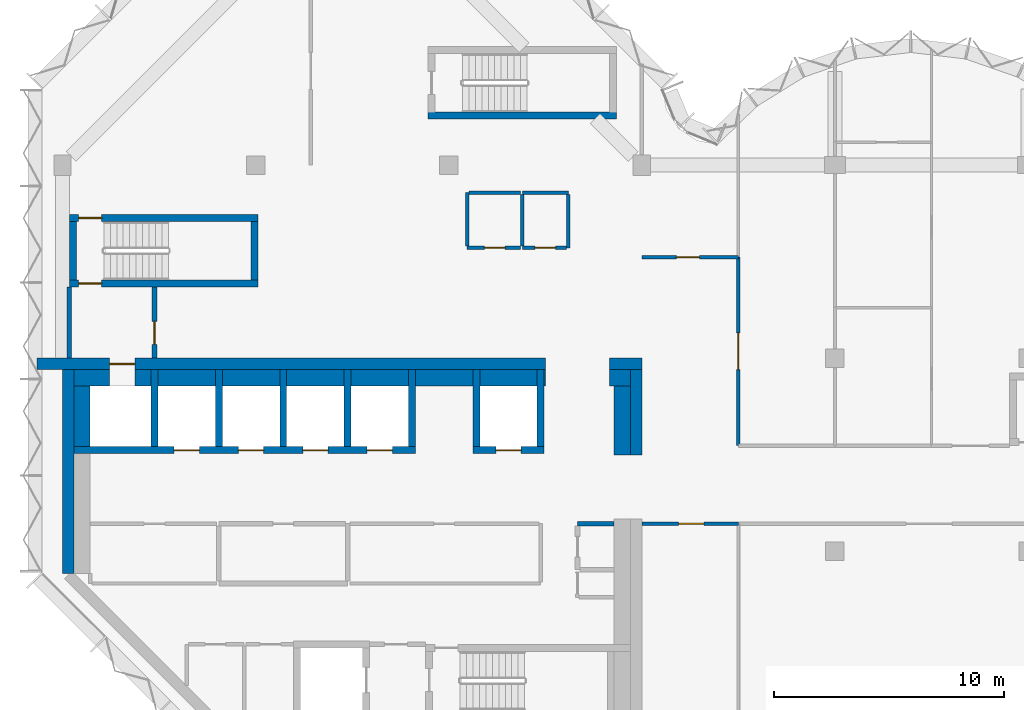
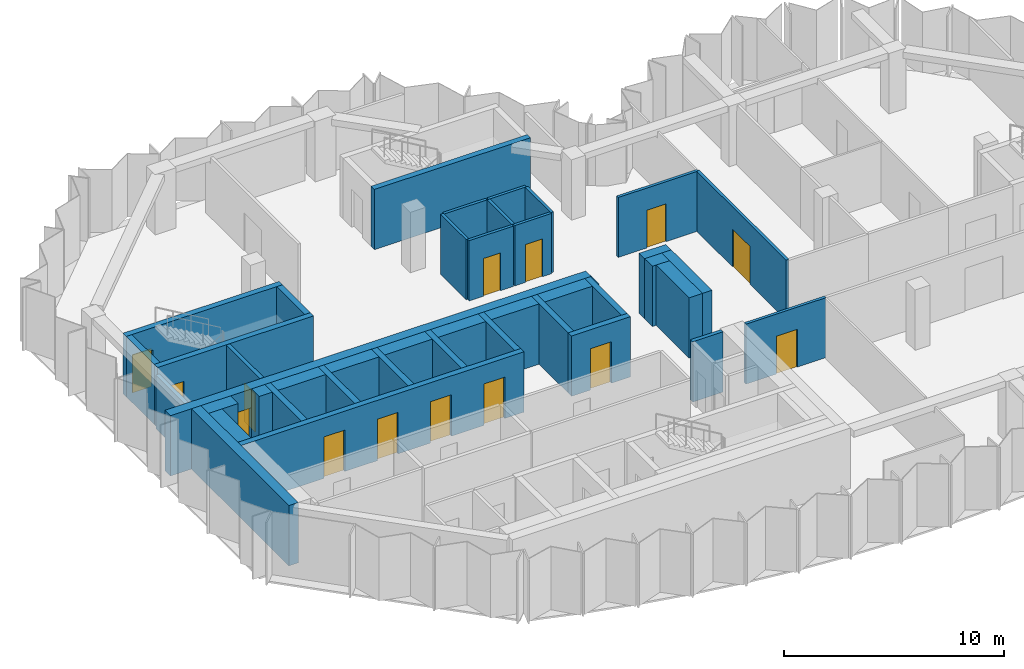
# One storey, part 5 of 9: 43 walls, 14 doors, 14 openings.
"""IFC4 building model written with IfcOpenShell, lengths in metres."""

from ifc_helpers import new_model, si_unit, direction, frame, frame_2d, origin, place, context, subcontext, project, spatial, rectangle, extrude, material, layer, layer_set, type_object, element, fill, save


model = new_model("IFC4")

# Units and contexts
model_context = context("Model", 3, precision=1e-05, world=origin(), true_north=direction((0.0, 1.0)))
body_context = subcontext(model_context, "Body", "Model", "MODEL_VIEW")
ifc_project = project(units=[si_unit("LENGTHUNIT", "METRE"), si_unit("AREAUNIT", "SQUARE_METRE"), si_unit("VOLUMEUNIT", "CUBIC_METRE"), si_unit("PLANEANGLEUNIT", "RADIAN"), si_unit("MASSUNIT", "GRAM", prefix="KILO")], contexts=[model_context])

# Site, building, storey
site_placement = place(None, origin())
site = spatial("IfcSite", under=ifc_project, at=site_placement, CompositionType="ELEMENT")
building_placement = place(site_placement, origin())
building = spatial("IfcBuilding", under=site, at=building_placement, Name="Brevane Broadcast Tower", CompositionType="ELEMENT")
storey_placement = place(building_placement, frame((0.0, 0.0, 244.5)))
storey = spatial("IfcBuildingStorey", under=building, at=storey_placement, Name="L62", CompositionType="ELEMENT", Elevation=244.5)

# Walls
ifc_material_1 = material(Name="Concrete C32/40", Category="concrete")
ifc_layer_1 = layer(ifc_material_1, 0.699951171875)
ifc_layer_set_1 = layer_set([ifc_layer_1], Name="Core chase wall 700 mm")
wall_type_1 = type_object("IfcWallType", Name="Core chase wall 700 mm", PredefinedType="PARTITIONING", material=ifc_layer_set_1)
wall_1_placement = place(storey_placement, frame((24.35009765625, 12.60009765625, 0.0), z_axis=(0.0, 0.0, 1.0), x_axis=(0.0, 1.0, 0.0)))
element("IfcWall", 1, at=wall_1_placement, inside=storey, type_object=wall_type_1, Name="L62 chase wall LE2", PredefinedType="PARTITIONING", context=body_context, shape_type="SweptSolid", body=[
    extrude(rectangle(XDim=3.0, YDim=0.699951171875, at=frame_2d((1.5, 0.0))), origin(), (0.0, 0.0, 1.0), 3.35009765625),
])
wall_2_placement = place(storey_placement, frame((0.5, 15.949951171875, 0.0), z_axis=(0.0, 0.0, 1.0), x_axis=(1.0, 0.0, 0.0)))
element("IfcWall", 2, at=wall_2_placement, inside=storey, type_object=wall_type_1, Name="L62 chase wall LN0", PredefinedType="PARTITIONING", context=body_context, shape_type="SweptSolid", body=[
    extrude(rectangle(XDim=1.550048828125, YDim=0.699951171875, at=frame_2d((0.77490234375, 0.0))), origin(), (0.0, 0.0, 1.0), 3.35009765625),
])
wall_3_placement = place(storey_placement, frame((23.800048828125, 15.949951171875, 0.0), z_axis=(0.0, 0.0, 1.0), x_axis=(1.0, 0.0, 0.0)))
element("IfcWall", 3, at=wall_3_placement, inside=storey, type_object=wall_type_1, Name="L62 chase wall LN2", PredefinedType="PARTITIONING", context=body_context, shape_type="SweptSolid", body=[
    extrude(rectangle(XDim=0.89990234375, YDim=0.699951171875, at=frame_2d((0.449951171875, 0.0))), origin(), (0.0, 0.0, 1.0), 3.35009765625),
])
wall_4_placement = place(storey_placement, frame((0.85009765625, 12.949951171875, 0.0), z_axis=(0.0, 0.0, 1.0), x_axis=(0.0, 1.0, 0.0)))
element("IfcWall", 4, at=wall_4_placement, inside=storey, type_object=wall_type_1, Name="L62 chase wall LW-2", PredefinedType="PARTITIONING", context=body_context, shape_type="SweptSolid", body=[
    extrude(rectangle(XDim=2.650146484375, YDim=0.699951171875, at=frame_2d((1.3251953125, 0.0))), origin(), (0.0, 0.0, 1.0), 3.35009765625),
])
wall_5_placement = place(storey_placement, frame((3.14990234375, 15.949951171875, 0.0), z_axis=(0.0, 0.0, 1.0), x_axis=(1.0, 0.0, 0.0)))
element("IfcWall", 5, at=wall_5_placement, inside=storey, type_object=wall_type_1, Name="L62 chase wall LN1-1", PredefinedType="PARTITIONING", context=body_context, shape_type="SweptSolid", body=[
    extrude(rectangle(XDim=0.7001953125, YDim=0.699951171875, at=frame_2d((0.35009765625, 0.0))), origin(), (0.0, 0.0, 1.0), 3.35009765625),
])
for number, where, z_axis, x_axis, name in (
    (6, (4.14990234375, 15.949951171875, 0.0), (0.0, 0.0, 1.0), (1.0, 0.0, 0.0), "L62 chase wall LN1-2-1"),
    (7, (6.949951171875, 15.949951171875, 0.0), (0.0, 0.0, 1.0), (1.0, 0.0, 0.0), "L62 chase wall LN1-2-2-1"),
    (8, (9.75, 15.949951171875, 0.0), (0.0, 0.0, 1.0), (1.0, 0.0, 0.0), "L62 chase wall LN1-2-2-2-1"),
    (9, (12.550048828125, 15.949951171875, 0.0), (0.0, 0.0, 1.0), (1.0, 0.0, 0.0), "L62 chase wall LN1-2-2-2-2-1"),
    (10, (15.35009765625, 15.949951171875, 0.0), (0.0, 0.0, 1.0), (1.0, 0.0, 0.0), "L62 chase wall LN1-2-2-2-2-2-1"),
    (11, (18.14990234375, 15.949951171875, 0.0), (0.0, 0.0, 1.0), (1.0, 0.0, 0.0), "L62 chase wall LN1-2-2-2-2-2-2-1"),
):
    element("IfcWall", number, at=place(storey_placement, frame(where, z_axis=z_axis, x_axis=x_axis)), inside=storey, type_object=wall_type_1, Name=name, PredefinedType="PARTITIONING", context=body_context, shape_type="SweptSolid", body=[
        extrude(rectangle(XDim=2.5, YDim=0.699951171875, at=frame_2d((1.25, 0.0))), origin(), (0.0, 0.0, 1.0), 3.35009765625),
    ])
wall_6_placement = place(storey_placement, frame((20.949951171875, 15.949951171875, 0.0), z_axis=(0.0, 0.0, 1.0), x_axis=(1.0, 0.0, 0.0)))
element("IfcWall", 12, at=wall_6_placement, inside=storey, type_object=wall_type_1, Name="L62 chase wall LN1-2-2-2-2-2-2-2", PredefinedType="PARTITIONING", context=body_context, shape_type="SweptSolid", body=[
    extrude(rectangle(XDim=0.050048828125, YDim=0.699951171875, at=frame_2d((0.02490234375, 0.0))), origin(), (0.0, 0.0, 1.0), 3.35009765625),
])
ifc_material_2 = material(Name="Gypsum board on steel studs", Category="steel")
ifc_layer_2 = layer(ifc_material_2, 0.14990234375)
ifc_layer_set_2 = layer_set([ifc_layer_2], Name="Core fire partition 150 mm")
wall_type_2 = type_object("IfcWallType", Name="Core fire partition 150 mm", PredefinedType="PARTITIONING", material=ifc_layer_set_2)
wall_7_placement = place(storey_placement, frame((20.0, 24.0, 0.0), z_axis=(0.0, 0.0, 1.0), x_axis=(1.0, 0.0, 0.0)))
element("IfcWall", 13, at=wall_7_placement, inside=storey, type_object=wall_type_2, Name="L62 partition wall P22", PredefinedType="PARTITIONING", context=body_context, shape_type="SweptSolid", body=[
    extrude(rectangle(XDim=2.0, YDim=0.14990234375, at=frame_2d((1.0, 0.0))), origin(), (0.0, 0.0, 1.0), 3.35009765625),
])
wall_8_placement = place(storey_placement, frame((22.0, 23.925048828125, 0.0), z_axis=(0.0, 0.0, 1.0), x_axis=(0.0, -1.0, 0.0)))
element("IfcWall", 14, at=wall_8_placement, inside=storey, type_object=wall_type_2, Name="L62 partition wall P23", PredefinedType="PARTITIONING", context=body_context, shape_type="SweptSolid", body=[
    extrude(rectangle(XDim=2.324951171875, YDim=0.14990234375, at=frame_2d((1.16259765625, 0.0))), origin(), (0.0, 0.0, 1.0), 3.35009765625),
])

# Wall, opening, door
wall_9_placement = place(storey_placement, frame((21.925048828125, 21.60009765625, 0.0), z_axis=(0.0, 0.0, 1.0), x_axis=(-1.0, 0.0, 0.0)))
wall_9 = element("IfcWall", 15, at=wall_9_placement, inside=storey, type_object=wall_type_2, Name="L62 partition wall P24", PredefinedType="PARTITIONING", context=body_context, shape_type="SweptSolid", body=[
    extrude(rectangle(XDim=1.925048828125, YDim=0.14990234375, at=frame_2d((0.96240234375, 0.0))), origin(), (0.0, 0.0, 1.0), 3.35009765625),
])
opening_1_placement = place(wall_9_placement, frame((0.47509765625, 0.0, 0.0)))
opening_1 = element("IfcOpeningElement", 16, at=opening_1_placement, cuts=wall_9, Name="Opening L62-K23", PredefinedType="OPENING", context=body_context, shape_type="SweptSolid", body=[
    extrude(rectangle(XDim=0.89990234375, YDim=2.10009765625, at=frame_2d((0.449951171875, 1.050048828125))), frame((0.0, 0.0849609375, 0.0), z_axis=(0.0, -1.0, 0.0), x_axis=(1.0, 0.0, 0.0)), (0.0, 0.0, 1.0), 0.169921875),
])
ifc_material_3 = material(Name="Timber", Category="wood")
door_type_1 = type_object("IfcDoorType", Name="Toilet door 900 x 2100", OperationType="SINGLE_SWING_LEFT", PredefinedType="DOOR", material=ifc_material_3)
door_1_placement = place(opening_1_placement, origin())
door_1 = element("IfcDoor", 17, at=door_1_placement, inside=storey, type_object=door_type_1, Name="Door L62-K23", OperationType="SINGLE_SWING_LEFT", OverallHeight=2.10009765625, OverallWidth=0.89990234375, PredefinedType="DOOR", context=body_context, shape_type="SweptSolid", body=[
    extrude(rectangle(XDim=0.89990234375, YDim=2.10009765625, at=frame_2d((0.449951171875, 1.050048828125))), frame((0.0, 0.02490234375, 0.0), z_axis=(0.0, -1.0, 0.0), x_axis=(1.0, 0.0, 0.0)), (0.0, 0.0, 1.0), 0.050048828125),
])
fill(opening_1, door_1)

# Wall
wall_10_placement = place(storey_placement, frame((20.0, 21.675048828125, 0.0), z_axis=(0.0, 0.0, 1.0), x_axis=(0.0, 1.0, 0.0)))
element("IfcWall", 18, at=wall_10_placement, inside=storey, type_object=wall_type_2, Name="L62 partition wall P25", PredefinedType="PARTITIONING", context=body_context, shape_type="SweptSolid", body=[
    extrude(rectangle(XDim=2.25, YDim=0.14990234375, at=frame_2d((1.125, 0.0))), origin(), (0.0, 0.0, 1.0), 3.35009765625),
])

# Wall, opening, door
wall_11_placement = place(storey_placement, frame((19.925048828125, 21.60009765625, 0.0), z_axis=(0.0, 0.0, 1.0), x_axis=(-1.0, 0.0, 0.0)))
wall_11 = element("IfcWall", 19, at=wall_11_placement, inside=storey, type_object=wall_type_2, Name="L62 partition wall P26", PredefinedType="PARTITIONING", context=body_context, shape_type="SweptSolid", body=[
    extrude(rectangle(XDim=2.324951171875, YDim=0.14990234375, at=frame_2d((1.16259765625, 0.0))), origin(), (0.0, 0.0, 1.0), 3.35009765625),
])
opening_2_placement = place(wall_11_placement, frame((0.675048828125, 0.0, 0.0)))
opening_2 = element("IfcOpeningElement", 20, at=opening_2_placement, cuts=wall_11, Name="Opening L62-K24", PredefinedType="OPENING", context=body_context, shape_type="SweptSolid", body=[
    extrude(rectangle(XDim=0.89990234375, YDim=2.10009765625, at=frame_2d((0.449951171875, 1.050048828125))), frame((0.0, 0.0849609375, 0.0), z_axis=(0.0, -1.0, 0.0), x_axis=(1.0, 0.0, 0.0)), (0.0, 0.0, 1.0), 0.169921875),
])
ifc_material_4 = material(Name="Steel", Category="steel")
door_type_2 = type_object("IfcDoorType", Name="Service room door 900 x 2100", OperationType="SINGLE_SWING_LEFT", PredefinedType="DOOR", material=ifc_material_4)
door_2_placement = place(opening_2_placement, origin())
door_2 = element("IfcDoor", 21, at=door_2_placement, inside=storey, type_object=door_type_2, Name="Door L62-K24", OperationType="SINGLE_SWING_RIGHT", OverallHeight=2.10009765625, OverallWidth=0.89990234375, PredefinedType="DOOR", context=body_context, shape_type="SweptSolid", body=[
    extrude(rectangle(XDim=0.89990234375, YDim=2.10009765625, at=frame_2d((0.449951171875, 1.050048828125))), frame((0.0, 0.02490234375, 0.0), z_axis=(0.0, -1.0, 0.0), x_axis=(1.0, 0.0, 0.0)), (0.0, 0.0, 1.0), 0.050048828125),
])
fill(opening_2, door_2)

# Walls
wall_12_placement = place(storey_placement, frame((17.60009765625, 21.675048828125, 0.0), z_axis=(0.0, 0.0, 1.0), x_axis=(0.0, 1.0, 0.0)))
element("IfcWall", 22, at=wall_12_placement, inside=storey, type_object=wall_type_2, Name="L62 partition wall P27", PredefinedType="PARTITIONING", context=body_context, shape_type="SweptSolid", body=[
    extrude(rectangle(XDim=2.324951171875, YDim=0.14990234375, at=frame_2d((1.16259765625, 0.0))), origin(), (0.0, 0.0, 1.0), 3.35009765625),
])
wall_13_placement = place(storey_placement, frame((17.675048828125, 24.0, 0.0), z_axis=(0.0, 0.0, 1.0), x_axis=(1.0, 0.0, 0.0)))
element("IfcWall", 23, at=wall_13_placement, inside=storey, type_object=wall_type_2, Name="L62 partition wall P28", PredefinedType="PARTITIONING", context=body_context, shape_type="SweptSolid", body=[
    extrude(rectangle(XDim=2.25, YDim=0.14990234375, at=frame_2d((1.125, 0.0))), origin(), (0.0, 0.0, 1.0), 3.35009765625),
])
ifc_layer_3 = layer(ifc_material_2, 0.199951171875)
ifc_layer_set_3 = layer_set([ifc_layer_3], Name="Core fire partition 200 mm")
wall_type_3 = type_object("IfcWallType", Name="Core fire partition 200 mm", PredefinedType="PARTITIONING", material=ifc_layer_set_3)
wall_14_placement = place(storey_placement, frame((0.300048828125, 16.81201171875, 0.0), z_axis=(0.0, 0.0, 1.0), x_axis=(0.0, 1.0, 0.0)))
element("IfcWall", 24, at=wall_14_placement, inside=storey, type_object=wall_type_3, Name="L62 partition wall P01", PredefinedType="PARTITIONING", context=body_context, shape_type="SweptSolid", body=[
    extrude(rectangle(XDim=3.075927734375, YDim=0.199951171875, at=frame_2d((1.5380859375, 0.0))), origin(), (0.0, 0.0, 1.0), 2.97998046875),
])

# Wall, opening, door
wall_15_placement = place(storey_placement, frame((4.0, 19.887939453125, 0.0), z_axis=(0.0, 0.0, 1.0), x_axis=(0.0, -1.0, 0.0)))
wall_15 = element("IfcWall", 25, at=wall_15_placement, inside=storey, type_object=wall_type_3, Name="L62 partition wall P02", PredefinedType="PARTITIONING", context=body_context, shape_type="SweptSolid", body=[
    extrude(rectangle(XDim=3.075927734375, YDim=0.199951171875, at=frame_2d((1.5380859375, 0.0))), origin(), (0.0, 0.0, 1.0), 3.35009765625),
])
opening_3_placement = place(wall_15_placement, frame((1.488037109375, 0.0, 0.0)))
opening_3 = element("IfcOpeningElement", 26, at=opening_3_placement, cuts=wall_15, Name="Opening L62-K22", PredefinedType="OPENING", context=body_context, shape_type="SweptSolid", body=[
    extrude(rectangle(XDim=1.0, YDim=2.10009765625, at=frame_2d((0.5, 1.050048828125))), frame((0.0, 0.10986328125, 0.0), z_axis=(0.0, -1.0, 0.0), x_axis=(1.0, 0.0, 0.0)), (0.0, 0.0, 1.0), 0.219970703125),
])
door_type_3 = type_object("IfcDoorType", Name="Stair door 1000 x 2100", OperationType="SINGLE_SWING_LEFT", PredefinedType="DOOR", material=ifc_material_4)
door_3_placement = place(opening_3_placement, origin())
door_3 = element("IfcDoor", 27, at=door_3_placement, inside=storey, type_object=door_type_3, Name="Door L62-K22", OperationType="SINGLE_SWING_RIGHT", OverallHeight=2.10009765625, OverallWidth=1.0, PredefinedType="DOOR", context=body_context, shape_type="SweptSolid", body=[
    extrude(rectangle(XDim=1.0, YDim=2.10009765625, at=frame_2d((0.5, 1.050048828125))), frame((0.0, 0.02490234375, 0.0), z_axis=(0.0, -1.0, 0.0), x_axis=(1.0, 0.0, 0.0)), (0.0, 0.0, 1.0), 0.050048828125),
])
fill(opening_3, door_3)

# Wall
wall_16_placement = place(storey_placement, frame((23.988037109375, 9.60009765625, 0.0), z_axis=(0.0, 0.0, 1.0), x_axis=(-1.0, 0.0, 0.0)))
element("IfcWall", 28, at=wall_16_placement, inside=storey, type_object=wall_type_3, Name="L62 partition wall P04", PredefinedType="PARTITIONING", context=body_context, shape_type="SweptSolid", body=[
    extrude(rectangle(XDim=1.588134765625, YDim=0.199951171875, at=frame_2d((0.7939453125, 0.0))), origin(), (0.0, 0.0, 1.0), 3.35009765625),
])

# Wall, openings, doors
ifc_material_5 = material(Name="Concrete C50/60", Category="concrete")
ifc_layer_4 = layer(ifc_material_5, 0.300048828125)
ifc_layer_set_4 = layer_set([ifc_layer_4], Name="Core wall 300 mm C50/60")
wall_type_4 = type_object("IfcWallType", Name="Core wall 300 mm C50/60", PredefinedType="SHEAR", material=ifc_layer_set_4)
wall_17_placement = place(storey_placement, frame((0.5, 12.800048828125, 0.0), z_axis=(0.0, 0.0, 1.0), x_axis=(1.0, 0.0, 0.0)))
wall_17 = element("IfcWall", 29, at=wall_17_placement, inside=storey, type_object=wall_type_4, Name="L62 shaft wall SH-N012-front", PredefinedType="SHEAR", context=body_context, shape_type="SweptSolid", body=[
    extrude(rectangle(XDim=14.85009765625, YDim=0.300048828125, at=frame_2d((7.425048828125, 0.0))), origin(), (0.0, 0.0, 1.0), 3.35009765625),
])
opening_4_placement = place(wall_17_placement, frame((4.35009765625, 0.0, 0.0)))
opening_4 = element("IfcOpeningElement", 30, at=opening_4_placement, cuts=wall_17, Name="Opening LD", PredefinedType="OPENING", context=body_context, shape_type="SweptSolid", body=[
    extrude(rectangle(XDim=1.10009765625, YDim=2.300048828125, at=frame_2d((0.550048828125, 1.14990234375))), frame((0.0, 0.159912109375, 0.0), z_axis=(0.0, -1.0, 0.0), x_axis=(1.0, 0.0, 0.0)), (0.0, 0.0, 1.0), 0.320068359375),
])
opening_5_placement = place(wall_17_placement, frame((7.14990234375, 0.0, 0.0)))
opening_5 = element("IfcOpeningElement", 31, at=opening_5_placement, cuts=wall_17, Name="Opening LD", PredefinedType="OPENING", context=body_context, shape_type="SweptSolid", body=[
    extrude(rectangle(XDim=1.10009765625, YDim=2.300048828125, at=frame_2d((0.550048828125, 1.14990234375))), frame((0.0, 0.159912109375, 0.0), z_axis=(0.0, -1.0, 0.0), x_axis=(1.0, 0.0, 0.0)), (0.0, 0.0, 1.0), 0.320068359375),
])
opening_6_placement = place(wall_17_placement, frame((9.949951171875, 0.0, 0.0)))
opening_6 = element("IfcOpeningElement", 32, at=opening_6_placement, cuts=wall_17, Name="Opening LD", PredefinedType="OPENING", context=body_context, shape_type="SweptSolid", body=[
    extrude(rectangle(XDim=1.10009765625, YDim=2.300048828125, at=frame_2d((0.550048828125, 1.14990234375))), frame((0.0, 0.159912109375, 0.0), z_axis=(0.0, -1.0, 0.0), x_axis=(1.0, 0.0, 0.0)), (0.0, 0.0, 1.0), 0.320068359375),
])
opening_7_placement = place(wall_17_placement, frame((12.75, 0.0, 0.0)))
opening_7 = element("IfcOpeningElement", 33, at=opening_7_placement, cuts=wall_17, Name="Opening LD", PredefinedType="OPENING", context=body_context, shape_type="SweptSolid", body=[
    extrude(rectangle(XDim=1.10009765625, YDim=2.300048828125, at=frame_2d((0.550048828125, 1.14990234375))), frame((0.0, 0.159912109375, 0.0), z_axis=(0.0, -1.0, 0.0), x_axis=(1.0, 0.0, 0.0)), (0.0, 0.0, 1.0), 0.320068359375),
])
ifc_material_6 = material(Name="Stainless steel", Category="steel")
door_type_4 = type_object("IfcDoorType", Name="Lift landing door", OperationType="SLIDING_TO_LEFT", PredefinedType="DOOR", material=ifc_material_6)
door_4_placement = place(opening_4_placement, origin())
door_4 = element("IfcDoor", 34, at=door_4_placement, inside=storey, type_object=door_type_4, Name="Landing door HR1 L62", OperationType="SLIDING_TO_LEFT", OverallHeight=2.300048828125, OverallWidth=1.10009765625, PredefinedType="DOOR", context=body_context, shape_type="SweptSolid", body=[
    extrude(rectangle(XDim=1.10009765625, YDim=2.300048828125, at=frame_2d((0.550048828125, 1.14990234375))), frame((0.0, 0.02490234375, 0.0), z_axis=(0.0, -1.0, 0.0), x_axis=(1.0, 0.0, 0.0)), (0.0, 0.0, 1.0), 0.050048828125),
])
fill(opening_4, door_4)
door_5_placement = place(opening_5_placement, origin())
door_5 = element("IfcDoor", 35, at=door_5_placement, inside=storey, type_object=door_type_4, Name="Landing door HR2 L62", OperationType="SLIDING_TO_LEFT", OverallHeight=2.300048828125, OverallWidth=1.10009765625, PredefinedType="DOOR", context=body_context, shape_type="SweptSolid", body=[
    extrude(rectangle(XDim=1.10009765625, YDim=2.300048828125, at=frame_2d((0.550048828125, 1.14990234375))), frame((0.0, 0.02490234375, 0.0), z_axis=(0.0, -1.0, 0.0), x_axis=(1.0, 0.0, 0.0)), (0.0, 0.0, 1.0), 0.050048828125),
])
fill(opening_5, door_5)
door_6_placement = place(opening_6_placement, origin())
door_6 = element("IfcDoor", 36, at=door_6_placement, inside=storey, type_object=door_type_4, Name="Landing door HR3 L62", OperationType="SLIDING_TO_LEFT", OverallHeight=2.300048828125, OverallWidth=1.10009765625, PredefinedType="DOOR", context=body_context, shape_type="SweptSolid", body=[
    extrude(rectangle(XDim=1.10009765625, YDim=2.300048828125, at=frame_2d((0.550048828125, 1.14990234375))), frame((0.0, 0.02490234375, 0.0), z_axis=(0.0, -1.0, 0.0), x_axis=(1.0, 0.0, 0.0)), (0.0, 0.0, 1.0), 0.050048828125),
])
fill(opening_6, door_6)
door_7_placement = place(opening_7_placement, origin())
door_7 = element("IfcDoor", 37, at=door_7_placement, inside=storey, type_object=door_type_4, Name="Landing door HR4 L62", OperationType="SLIDING_TO_LEFT", OverallHeight=2.300048828125, OverallWidth=1.10009765625, PredefinedType="DOOR", context=body_context, shape_type="SweptSolid", body=[
    extrude(rectangle(XDim=1.10009765625, YDim=2.300048828125, at=frame_2d((0.550048828125, 1.14990234375))), frame((0.0, 0.02490234375, 0.0), z_axis=(0.0, -1.0, 0.0), x_axis=(1.0, 0.0, 0.0)), (0.0, 0.0, 1.0), 0.050048828125),
])
fill(opening_7, door_7)

# Walls
for number, where, z_axis, x_axis, name in (
    (38, (4.0, 12.949951171875, 0.0), (0.0, 0.0, 1.0), (0.0, 1.0, 0.0), "L62 shaft wall SH-N-P040"),
    (39, (6.800048828125, 12.949951171875, 0.0), (0.0, 0.0, 1.0), (0.0, 1.0, 0.0), "L62 shaft wall SH-N-P068"),
    (40, (9.60009765625, 12.949951171875, 0.0), (0.0, 0.0, 1.0), (0.0, 1.0, 0.0), "L62 shaft wall SH-N-P096"),
    (41, (12.39990234375, 12.949951171875, 0.0), (0.0, 0.0, 1.0), (0.0, 1.0, 0.0), "L62 shaft wall SH-N-P124"),
    (42, (15.199951171875, 12.949951171875, 0.0), (0.0, 0.0, 1.0), (0.0, 1.0, 0.0), "L62 shaft wall SH-N-P152"),
):
    element("IfcWall", number, at=place(storey_placement, frame(where, z_axis=z_axis, x_axis=x_axis)), inside=storey, type_object=wall_type_4, Name=name, PredefinedType="SHEAR", context=body_context, shape_type="SweptSolid", body=[
        extrude(rectangle(XDim=3.35009765625, YDim=0.300048828125, at=frame_2d((1.675048828125, 0.0))), origin(), (0.0, 0.0, 1.0), 3.35009765625),
    ])

# Wall, opening, door
wall_18_placement = place(storey_placement, frame((17.85009765625, 12.800048828125, 0.0), z_axis=(0.0, 0.0, 1.0), x_axis=(1.0, 0.0, 0.0)))
wall_18 = element("IfcWall", 43, at=wall_18_placement, inside=storey, type_object=wall_type_4, Name="L62 shaft wall SH-N180-front", PredefinedType="SHEAR", context=body_context, shape_type="SweptSolid", body=[
    extrude(rectangle(XDim=3.099853515625, YDim=0.300048828125, at=frame_2d((1.5498046875, 0.0))), origin(), (0.0, 0.0, 1.0), 3.35009765625),
])
opening_8_placement = place(wall_18_placement, frame((1.0, 0.0, 0.0)))
opening_8 = element("IfcOpeningElement", 44, at=opening_8_placement, cuts=wall_18, Name="Opening LD", PredefinedType="OPENING", context=body_context, shape_type="SweptSolid", body=[
    extrude(rectangle(XDim=1.10009765625, YDim=2.300048828125, at=frame_2d((0.550048828125, 1.14990234375))), frame((0.0, 0.159912109375, 0.0), z_axis=(0.0, -1.0, 0.0), x_axis=(1.0, 0.0, 0.0)), (0.0, 0.0, 1.0), 0.320068359375),
])
door_8_placement = place(opening_8_placement, origin())
door_8 = element("IfcDoor", 45, at=door_8_placement, inside=storey, type_object=door_type_4, Name="Landing door SL1 L62", OperationType="SLIDING_TO_LEFT", OverallHeight=2.300048828125, OverallWidth=1.10009765625, PredefinedType="DOOR", context=body_context, shape_type="SweptSolid", body=[
    extrude(rectangle(XDim=1.10009765625, YDim=2.300048828125, at=frame_2d((0.550048828125, 1.14990234375))), frame((0.0, 0.02490234375, 0.0), z_axis=(0.0, -1.0, 0.0), x_axis=(1.0, 0.0, 0.0)), (0.0, 0.0, 1.0), 0.050048828125),
])
fill(opening_8, door_8)

# Walls
for number, where, z_axis, x_axis, name in (
    (46, (18.0, 12.949951171875, 0.0), (0.0, 0.0, 1.0), (0.0, 1.0, 0.0), "L62 shaft wall SH-N-P180"),
    (47, (20.800048828125, 12.949951171875, 0.0), (0.0, 0.0, 1.0), (0.0, 1.0, 0.0), "L62 shaft wall SH-N-P208"),
):
    element("IfcWall", number, at=place(storey_placement, frame(where, z_axis=z_axis, x_axis=x_axis)), inside=storey, type_object=wall_type_4, Name=name, PredefinedType="SHEAR", context=body_context, shape_type="SweptSolid", body=[
        extrude(rectangle(XDim=3.35009765625, YDim=0.300048828125, at=frame_2d((1.675048828125, 0.0))), origin(), (0.0, 0.0, 1.0), 3.35009765625),
    ])

# Wall, opening, door
wall_19_placement = place(storey_placement, frame((8.5, 20.050048828125, 0.0), z_axis=(0.0, 0.0, 1.0), x_axis=(-1.0, 0.0, 0.0)))
wall_19 = element("IfcWall", 48, at=wall_19_placement, inside=storey, type_object=wall_type_4, Name="L62 stair wall ST-1-S", PredefinedType="SHEAR", context=body_context, shape_type="SweptSolid", body=[
    extrude(rectangle(XDim=8.199951171875, YDim=0.300048828125, at=frame_2d((4.10009765625, 0.0))), origin(), (0.0, 0.0, 1.0), 3.35009765625),
])
opening_9_placement = place(wall_19_placement, frame((6.800048828125, 0.0, 0.0)))
opening_9 = element("IfcOpeningElement", 49, at=opening_9_placement, cuts=wall_19, Name="Opening L62-K08", PredefinedType="OPENING", context=body_context, shape_type="SweptSolid", body=[
    extrude(rectangle(XDim=1.0, YDim=2.10009765625, at=frame_2d((0.5, 1.050048828125))), frame((0.0, 0.159912109375, 0.0), z_axis=(0.0, -1.0, 0.0), x_axis=(1.0, 0.0, 0.0)), (0.0, 0.0, 1.0), 0.320068359375),
])
door_9_placement = place(opening_9_placement, origin())
door_9 = element("IfcDoor", 50, at=door_9_placement, inside=storey, type_object=door_type_3, Name="Door L62-K08", OperationType="SINGLE_SWING_RIGHT", OverallHeight=2.10009765625, OverallWidth=1.0, PredefinedType="DOOR", context=body_context, shape_type="SweptSolid", body=[
    extrude(rectangle(XDim=1.0, YDim=2.10009765625, at=frame_2d((0.5, 1.050048828125))), frame((0.0, 0.02490234375, 0.0), z_axis=(0.0, -1.0, 0.0), x_axis=(1.0, 0.0, 0.0)), (0.0, 0.0, 1.0), 0.050048828125),
])
fill(opening_9, door_9)

wall_20_placement = place(storey_placement, frame((0.300048828125, 22.89990234375, 0.0), z_axis=(0.0, 0.0, 1.0), x_axis=(1.0, 0.0, 0.0)))
wall_20 = element("IfcWall", 51, at=wall_20_placement, inside=storey, type_object=wall_type_4, Name="L62 stair wall ST-1-N", PredefinedType="SHEAR", context=body_context, shape_type="SweptSolid", body=[
    extrude(rectangle(XDim=8.199951171875, YDim=0.300048828125, at=frame_2d((4.10009765625, 0.0))), origin(), (0.0, 0.0, 1.0), 3.35009765625),
])
opening_10_placement = place(wall_20_placement, frame((0.39990234375, 0.0, 0.0)))
opening_10 = element("IfcOpeningElement", 52, at=opening_10_placement, cuts=wall_20, Name="Opening L62-K09", PredefinedType="OPENING", context=body_context, shape_type="SweptSolid", body=[
    extrude(rectangle(XDim=1.0, YDim=2.10009765625, at=frame_2d((0.5, 1.050048828125))), frame((0.0, 0.159912109375, 0.0), z_axis=(0.0, -1.0, 0.0), x_axis=(1.0, 0.0, 0.0)), (0.0, 0.0, 1.0), 0.320068359375),
])
door_10_placement = place(opening_10_placement, origin())
door_10 = element("IfcDoor", 53, at=door_10_placement, inside=storey, type_object=door_type_3, Name="Door L62-K09", OperationType="SINGLE_SWING_LEFT", OverallHeight=2.10009765625, OverallWidth=1.0, PredefinedType="DOOR", context=body_context, shape_type="SweptSolid", body=[
    extrude(rectangle(XDim=1.0, YDim=2.10009765625, at=frame_2d((0.5, 1.050048828125))), frame((0.0, 0.02490234375, 0.0), z_axis=(0.0, -1.0, 0.0), x_axis=(1.0, 0.0, 0.0)), (0.0, 0.0, 1.0), 0.050048828125),
])
fill(opening_10, door_10)

# Walls
for number, where, z_axis, x_axis, name in (
    (54, (0.449951171875, 20.199951171875, 0.0), (0.0, 0.0, 1.0), (0.0, 1.0, 0.0), "L62 stair wall ST-1-W"),
    (55, (8.35009765625, 20.199951171875, 0.0), (0.0, 0.0, 1.0), (0.0, 1.0, 0.0), "L62 stair wall ST-1-E"),
):
    element("IfcWall", number, at=place(storey_placement, frame(where, z_axis=z_axis, x_axis=x_axis)), inside=storey, type_object=wall_type_4, Name=name, PredefinedType="SHEAR", context=body_context, shape_type="SweptSolid", body=[
        extrude(rectangle(XDim=2.550048828125, YDim=0.300048828125, at=frame_2d((1.27490234375, 0.0))), origin(), (0.0, 0.0, 1.0), 3.35009765625),
    ])
wall_21_placement = place(storey_placement, frame((15.89990234375, 27.35009765625, 0.0), z_axis=(0.0, 0.0, 1.0), x_axis=(1.0, 0.0, 0.0)))
element("IfcWall", 56, at=wall_21_placement, inside=storey, type_object=wall_type_4, Name="L62 stair wall ST-3-S", PredefinedType="SHEAR", context=body_context, shape_type="SweptSolid", body=[
    extrude(rectangle(XDim=8.2001953125, YDim=0.300048828125, at=frame_2d((4.10009765625, 0.0))), origin(), (0.0, 0.0, 1.0), 3.35009765625),
])

# Wall, opening, door
ifc_layer_5 = layer(ifc_material_5, 0.5)
ifc_layer_set_5 = layer_set([ifc_layer_5], Name="Core wall 500 mm C50/60")
wall_type_5 = type_object("IfcWallType", Name="Core wall 500 mm C50/60", PredefinedType="SHEAR", material=ifc_layer_set_5)
wall_22_placement = place(storey_placement, frame((-1.10009765625, 16.550048828125, 0.0), z_axis=(0.0, 0.0, 1.0), x_axis=(1.0, 0.0, 0.0)))
wall_22 = element("IfcWall", 57, at=wall_22_placement, inside=storey, type_object=wall_type_5, Name="L62 outer wall WN1", PredefinedType="SHEAR", context=body_context, shape_type="SweptSolid", body=[
    extrude(rectangle(XDim=22.10009765625, YDim=0.5, at=frame_2d((11.050048828125, 0.0))), origin(), (0.0, 0.0, 1.0), 3.35009765625),
])
opening_11_placement = place(wall_22_placement, frame((3.14990234375, 0.0, 0.0)))
opening_11 = element("IfcOpeningElement", 58, at=opening_11_placement, cuts=wall_22, Name="Opening LD", PredefinedType="OPENING", context=body_context, shape_type="SweptSolid", body=[
    extrude(rectangle(XDim=1.10009765625, YDim=2.300048828125, at=frame_2d((0.550048828125, 1.14990234375))), frame((0.0, 0.260009765625, 0.0), z_axis=(0.0, -1.0, 0.0), x_axis=(1.0, 0.0, 0.0)), (0.0, 0.0, 1.0), 0.52001953125),
])
door_11_placement = place(opening_11_placement, origin())
door_11 = element("IfcDoor", 59, at=door_11_placement, inside=storey, type_object=door_type_4, Name="Landing door FF1 L62", OperationType="SLIDING_TO_LEFT", OverallHeight=2.300048828125, OverallWidth=1.10009765625, PredefinedType="DOOR", context=body_context, shape_type="SweptSolid", body=[
    extrude(rectangle(XDim=1.10009765625, YDim=2.300048828125, at=frame_2d((0.550048828125, 1.14990234375))), frame((0.0, 0.02490234375, 0.0), z_axis=(0.0, -1.0, 0.0), x_axis=(1.0, 0.0, 0.0)), (0.0, 0.0, 1.0), 0.050048828125),
])
fill(opening_11, door_11)

# Walls
wall_23_placement = place(storey_placement, frame((23.800048828125, 16.550048828125, 0.0), z_axis=(0.0, 0.0, 1.0), x_axis=(1.0, 0.0, 0.0)))
element("IfcWall", 60, at=wall_23_placement, inside=storey, type_object=wall_type_5, Name="L62 outer wall WN2", PredefinedType="SHEAR", context=body_context, shape_type="SweptSolid", body=[
    extrude(rectangle(XDim=1.39990234375, YDim=0.5, at=frame_2d((0.699951171875, 0.0))), origin(), (0.0, 0.0, 1.0), 3.35009765625),
])
wall_24_placement = place(storey_placement, frame((0.25, 7.436279296875, 0.0), z_axis=(0.0, 0.0, 1.0), x_axis=(0.0, 1.0, 0.0)))
element("IfcWall", 61, at=wall_24_placement, inside=storey, type_object=wall_type_5, Name="L62 outer wall WW", PredefinedType="SHEAR", context=body_context, shape_type="SweptSolid", body=[
    extrude(rectangle(XDim=8.86376953125, YDim=0.5, at=frame_2d((4.431884765625, 0.0))), origin(), (0.0, 0.0, 1.0), 3.35009765625),
])
wall_25_placement = place(storey_placement, frame((24.949951171875, 12.60009765625, 0.0), z_axis=(0.0, 0.0, 1.0), x_axis=(0.0, 1.0, 0.0)))
element("IfcWall", 62, at=wall_25_placement, inside=storey, type_object=wall_type_5, Name="L62 outer wall WE2", PredefinedType="SHEAR", context=body_context, shape_type="SweptSolid", body=[
    extrude(rectangle(XDim=3.699951171875, YDim=0.5, at=frame_2d((1.85009765625, 0.0))), origin(), (0.0, 0.0, 1.0), 3.35009765625),
])

# Wall, opening, door
ifc_material_7 = material(Name="Gypsum board partition")
ifc_layer_6 = layer(ifc_material_7, 0.14990234375)
ifc_layer_set_6 = layer_set([ifc_layer_6], Name="PARTITION 150 EI 60")
wall_type_6 = type_object("IfcWallType", Name="PARTITION 150 EI 60", PredefinedType="PARTITIONING", material=ifc_layer_set_6)
wall_26_placement = place(storey_placement, frame((25.199951171875, 21.199951171875, 0.0), z_axis=(0.0, 0.0, 1.0), x_axis=(1.0, 0.0, 0.0)))
wall_26 = element("IfcWall", 63, at=wall_26_placement, inside=storey, type_object=wall_type_6, Name="Partition G19-001", PredefinedType="PARTITIONING", context=body_context, shape_type="SweptSolid", body=[
    extrude(rectangle(XDim=4.199951171875, YDim=0.14990234375, at=frame_2d((2.10009765625, 0.0))), origin(), (0.0, 0.0, 1.0), 3.330078125),
])
opening_12_placement = place(wall_26_placement, frame((1.5, 0.0, 0.0)))
opening_12 = element("IfcOpeningElement", 64, at=opening_12_placement, cuts=wall_26, Name="Opening D30-001", PredefinedType="OPENING", context=body_context, shape_type="SweptSolid", body=[
    extrude(rectangle(XDim=1.0, YDim=2.10009765625, at=frame_2d((0.5, 1.050048828125))), frame((0.0, 0.0849609375, 0.0), z_axis=(0.0, -1.0, 0.0), x_axis=(1.0, 0.0, 0.0)), (0.0, 0.0, 1.0), 0.169921875),
])
ifc_material_8 = material(Name="Fire-rated timber door leaf", Category="wood")
door_type_5 = type_object("IfcDoorType", Name="DOOR SINGLE 1000 FD30S", OperationType="SINGLE_SWING_LEFT", PredefinedType="DOOR", material=ifc_material_8)
door_12_placement = place(opening_12_placement, origin())
door_12 = element("IfcDoor", 65, at=door_12_placement, inside=storey, type_object=door_type_5, Name="Door D30-001", OperationType="SINGLE_SWING_LEFT", OverallHeight=2.10009765625, OverallWidth=1.0, PredefinedType="DOOR", context=body_context, shape_type="SweptSolid", body=[
    extrude(rectangle(XDim=1.0, YDim=2.10009765625, at=frame_2d((0.5, 1.050048828125))), frame((0.0, 0.02490234375, 0.0), z_axis=(0.0, -1.0, 0.0), x_axis=(1.0, 0.0, 0.0)), (0.0, 0.0, 1.0), 0.050048828125),
])
fill(opening_12, door_12)

wall_27_placement = place(storey_placement, frame((29.39990234375, 9.60009765625, 0.0), z_axis=(0.0, 0.0, 1.0), x_axis=(-1.0, 0.0, 0.0)))
wall_27 = element("IfcWall", 66, at=wall_27_placement, inside=storey, type_object=wall_type_6, Name="Partition G19-002", PredefinedType="PARTITIONING", context=body_context, shape_type="SweptSolid", body=[
    extrude(rectangle(XDim=4.199951171875, YDim=0.14990234375, at=frame_2d((2.10009765625, 0.0))), origin(), (0.0, 0.0, 1.0), 3.330078125),
])
opening_13_placement = place(wall_27_placement, frame((1.5, 0.0, 0.0)))
opening_13 = element("IfcOpeningElement", 67, at=opening_13_placement, cuts=wall_27, Name="Opening D30-003", PredefinedType="OPENING", context=body_context, shape_type="SweptSolid", body=[
    extrude(rectangle(XDim=1.10009765625, YDim=2.10009765625, at=frame_2d((0.550048828125, 1.050048828125))), frame((0.0, 0.0849609375, 0.0), z_axis=(0.0, -1.0, 0.0), x_axis=(1.0, 0.0, 0.0)), (0.0, 0.0, 1.0), 0.169921875),
])
door_type_6 = type_object("IfcDoorType", Name="DOOR SINGLE 1100 FD30S", OperationType="SINGLE_SWING_LEFT", PredefinedType="DOOR", material=ifc_material_8)
door_13_placement = place(opening_13_placement, origin())
door_13 = element("IfcDoor", 68, at=door_13_placement, inside=storey, type_object=door_type_6, Name="Door D30-003", OperationType="SINGLE_SWING_LEFT", OverallHeight=2.10009765625, OverallWidth=1.10009765625, PredefinedType="DOOR", context=body_context, shape_type="SweptSolid", body=[
    extrude(rectangle(XDim=1.10009765625, YDim=2.10009765625, at=frame_2d((0.550048828125, 1.050048828125))), frame((0.0, 0.02490234375, 0.0), z_axis=(0.0, -1.0, 0.0), x_axis=(1.0, 0.0, 0.0)), (0.0, 0.0, 1.0), 0.050048828125),
])
fill(opening_13, door_13)

wall_28_placement = place(storey_placement, frame((29.39990234375, 21.199951171875, 0.0), z_axis=(0.0, 0.0, 1.0), x_axis=(0.0, -1.0, 0.0)))
wall_28 = element("IfcWall", 69, at=wall_28_placement, inside=storey, type_object=wall_type_6, Name="Partition G19-003", PredefinedType="PARTITIONING", context=body_context, shape_type="SweptSolid", body=[
    extrude(rectangle(XDim=8.199951171875, YDim=0.14990234375, at=frame_2d((4.10009765625, 0.0))), origin(), (0.0, 0.0, 1.0), 3.330078125),
])
opening_14_placement = place(wall_28_placement, frame((3.300048828125, 0.0, 0.0)))
opening_14 = element("IfcOpeningElement", 70, at=opening_14_placement, cuts=wall_28, Name="Opening D30-005", PredefinedType="OPENING", context=body_context, shape_type="SweptSolid", body=[
    extrude(rectangle(XDim=1.60009765625, YDim=2.10009765625, at=frame_2d((0.800048828125, 1.050048828125))), frame((0.0, 0.0849609375, 0.0), z_axis=(0.0, -1.0, 0.0), x_axis=(1.0, 0.0, 0.0)), (0.0, 0.0, 1.0), 0.169921875),
])
door_type_7 = type_object("IfcDoorType", Name="DOOR DOUBLE 1600 FD30S", OperationType="DOUBLE_DOOR_SINGLE_SWING", PredefinedType="DOOR", material=ifc_material_8)
door_14_placement = place(opening_14_placement, origin())
door_14 = element("IfcDoor", 71, at=door_14_placement, inside=storey, type_object=door_type_7, Name="Door D30-005", OperationType="DOUBLE_DOOR_SINGLE_SWING", OverallHeight=2.10009765625, OverallWidth=1.60009765625, PredefinedType="DOOR", context=body_context, shape_type="SweptSolid", body=[
    extrude(rectangle(XDim=1.60009765625, YDim=2.10009765625, at=frame_2d((0.800048828125, 1.050048828125))), frame((0.0, 0.02490234375, 0.0), z_axis=(0.0, -1.0, 0.0), x_axis=(1.0, 0.0, 0.0)), (0.0, 0.0, 1.0), 0.050048828125),
])
fill(opening_14, door_14)

save(model, "model.ifc")
